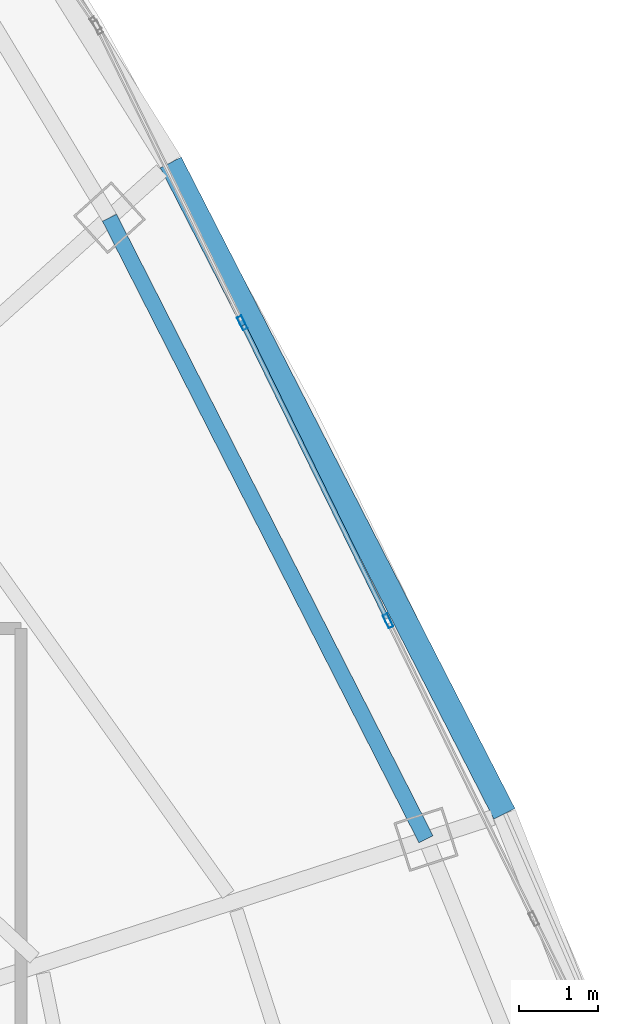
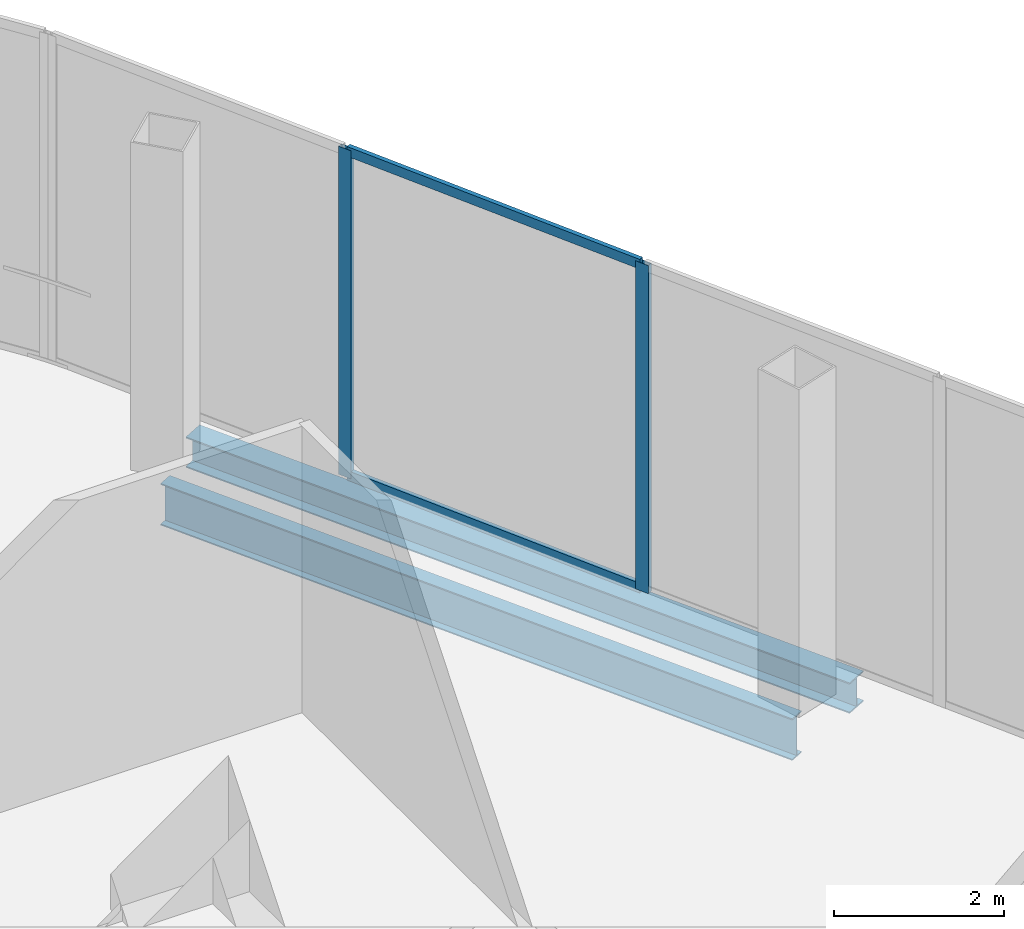
# One storey, part 20 of 33: 4 members, 2 beams, 1 element without a shape of its own.
"""IFC4 building model written with IfcOpenShell, lengths in metres."""

from ifc_helpers import new_model, si_unit, direction, frame, origin, origin_2d, place, context, subcontext, project, spatial, hollow_rectangle, i_section, extrude, source, transform, mapped, material, layer, layer_set, material_profile, profile_set, type_object, element, aggregate, save


model = new_model("IFC4")

# Units and contexts
model_context = context("Model", 3, precision=1e-05, world=origin(), true_north=direction((0.0, 1.0)))
body_context = subcontext(model_context, "Body", "Model", "MODEL_VIEW")
ifc_project = project(units=[si_unit("LENGTHUNIT", "METRE"), si_unit("AREAUNIT", "SQUARE_METRE"), si_unit("VOLUMEUNIT", "CUBIC_METRE"), si_unit("PLANEANGLEUNIT", "RADIAN"), si_unit("MASSUNIT", "GRAM", prefix="KILO"), si_unit("THERMODYNAMICTEMPERATUREUNIT", "KELVIN"), si_unit("POWERUNIT", "WATT")], contexts=[model_context])

# Site, building, storey
site_placement = place(None, origin())
site = spatial("IfcSite", under=ifc_project, at=site_placement, CompositionType="ELEMENT")
building_placement = place(site_placement, origin())
building = spatial("IfcBuilding", under=site, at=building_placement, Name="Yunzhuo Pagoda Commons", CompositionType="ELEMENT")
storey_placement = place(building_placement, frame((0.0, 0.0, 386.760009765625)))
storey = spatial("IfcBuildingStorey", under=building, at=storey_placement, Name="L96", CompositionType="ELEMENT", Elevation=386.760009765625)

# Beams
ifc_material_1 = material(Name="Structural steel Q355B", Category="steel")
ifc_material_profile_1 = material_profile(ifc_material_1, i_section(OverallWidth=0.199951171875, OverallDepth=0.60009765625, WebThickness=0.010986328125, FlangeThickness=0.01708984375, at=origin_2d()), Name="Structural steel Q355B")
ifc_profile_set_1 = profile_set([ifc_material_profile_1], Name="Structural steel Q355B")
beam_type_1 = type_object("IfcBeamType", Name="B-RG3 Beam HN 600x200x11x17", PredefinedType="BEAM", material=ifc_profile_set_1)
shared_shape_1 = source(origin(), body_context, "Body", "SweptSolid", [
    extrude(i_section(OverallWidth=0.199951171875, OverallDepth=0.60009765625, WebThickness=0.010986328125, FlangeThickness=0.01708984375, at=origin_2d()), origin(), (0.0, 0.0, 1.0), 8.87939453125),
])
beam_1_placement = place(storey_placement, frame((68.053466796875, 40.2158203125, -0.580078125), z_axis=(-0.453723535687, 0.891142498798, 0.0), x_axis=(-0.891142498798, -0.453723535687, 0.0)))
element("IfcBeam", 1, at=beam_1_placement, inside=storey, type_object=beam_type_1, Name="L96 column-ring beam 6", PredefinedType="BEAM", context=body_context, shape_type="MappedRepresentation", body=[
    mapped(shared_shape_1, transform((0.0, 0.0, 0.0), scale=1.0)),
])
ifc_material_profile_2 = material_profile(ifc_material_1, i_section(OverallWidth=0.300048828125, OverallDepth=0.43994140625, WebThickness=0.010986328125, FlangeThickness=0.01806640625, at=origin_2d()), Name="Structural steel Q355B")
ifc_profile_set_2 = profile_set([ifc_material_profile_2], Name="Structural steel Q355B")
beam_type_2 = type_object("IfcBeamType", Name="B-SP2 Beam HM 440x300x11x18", PredefinedType="BEAM", material=ifc_profile_set_2)
shared_shape_2 = source(origin(), body_context, "Body", "SweptSolid", [
    extrude(i_section(OverallWidth=0.300048828125, OverallDepth=0.43994140625, WebThickness=0.010986328125, FlangeThickness=0.01806640625, at=origin_2d()), origin(), (0.0, 0.0, 1.0), 9.3154296875),
])
beam_2_placement = place(storey_placement, frame((69.052001953125, 40.540283203125, -0.5), z_axis=(-0.455914353887, 0.89002365245, 0.0), x_axis=(-0.89002365245, -0.455914353887, 0.0)))
element("IfcBeam", 2, at=beam_2_placement, inside=storey, type_object=beam_type_2, Name="L96 facade edge spandrel beam F2.2", PredefinedType="BEAM", context=body_context, shape_type="MappedRepresentation", body=[
    mapped(shared_shape_2, transform((0.0, 0.0, 0.0), scale=1.0)),
])

# Curtain wall, members
ifc_material_2 = material(Name="Anodized aluminium 6063-T6", Category="aluminium")
ifc_layer = layer(ifc_material_2, 0.179931640625)
ifc_layer_set = layer_set([ifc_layer], Name="Anodized aluminium 6063-T6")
curtain_wall_type = type_object("IfcCurtainWallType", Name="CW-CRN Crown Gable Glazing System", PredefinedType="NOTDEFINED", material=ifc_layer_set)
curtain_wall_placement = place(storey_placement, origin())
curtain_wall = element("IfcCurtainWall", 3, at=curtain_wall_placement, inside=storey, type_object=curtain_wall_type, Name="L96 curtain wall CW-L96-CRNF2G1", PredefinedType="NOTDEFINED")
ifc_material_profile_3 = material_profile(ifc_material_2, hollow_rectangle(XDim=0.06494140625, YDim=0.179931640625, WallThickness=0.00390625, at=origin_2d()), Name="Anodized aluminium 6063-T6")
ifc_profile_set_3 = profile_set([ifc_material_profile_3], Name="Anodized aluminium 6063-T6")
member_type_1 = type_object("IfcMemberType", Name="CW-CRN-M Mullion RHS 180x65x4", PredefinedType="MULLION", material=ifc_profile_set_3)
shared_shape_3 = source(origin(), body_context, "Body", "SweptSolid", [
    extrude(hollow_rectangle(XDim=0.06494140625, YDim=0.179931640625, WallThickness=0.00390625, at=origin_2d()), origin(), (0.0, 0.0, 1.0), 4.72021484375),
])
member_1_placement = place(storey_placement, frame((67.570556640625, 42.995849609375, 0.0), z_axis=(0.0, 0.0, 1.0), x_axis=(-0.898299261226, -0.439384156839, 0.0)))
member_1 = element("IfcMember", 4, at=member_1_placement, type_object=member_type_1, Name="CW mullion 3", PredefinedType="MULLION", context=body_context, shape_type="MappedRepresentation", body=[
    mapped(shared_shape_3, transform((0.0, 0.0, 0.0), scale=1.0)),
])
member_2_placement = place(storey_placement, frame((65.71484375, 46.789306640625, 0.0), z_axis=(0.0, 0.0, 1.0), x_axis=(-0.898299261226, -0.439384156839, 0.0)))
member_2 = element("IfcMember", 5, at=member_2_placement, type_object=member_type_1, Name="CW mullion 4", PredefinedType="MULLION", context=body_context, shape_type="MappedRepresentation", body=[
    mapped(shared_shape_3, transform((0.0, 0.0, 0.0), scale=1.0)),
])
ifc_material_profile_4 = material_profile(ifc_material_2, hollow_rectangle(XDim=0.06005859375, YDim=0.139892578125, WallThickness=0.00341796875, at=origin_2d()), Name="Anodized aluminium 6063-T6")
ifc_profile_set_4 = profile_set([ifc_material_profile_4], Name="Anodized aluminium 6063-T6")
member_type_2 = type_object("IfcMemberType", Name="CW-CRN-T Transom RHS 140x60x3.5", PredefinedType="USERDEFINED", material=ifc_profile_set_4)
shared_shape_4 = source(origin(), body_context, "Body", "SweptSolid", [
    extrude(hollow_rectangle(XDim=0.06005859375, YDim=0.139892578125, WallThickness=0.00341796875, at=origin_2d()), origin(), (0.0, 0.0, 1.0), 4.157470703125),
])
member_3_placement = place(storey_placement, frame((67.55615234375, 43.025390625, 0.030029296875), z_axis=(-0.439421816361, 0.898280839886, 0.0), x_axis=(-0.898280839886, -0.439421816361, 0.0)))
member_3 = element("IfcMember", 6, at=member_3_placement, type_object=member_type_2, Name="CW transom 3.1", ObjectType="TRANSOM", PredefinedType="USERDEFINED", context=body_context, shape_type="MappedRepresentation", body=[
    mapped(shared_shape_4, transform((0.0, 0.0, 0.0), scale=1.0)),
])
member_4_placement = place(storey_placement, frame((67.55615234375, 43.025390625, 4.68994140625), z_axis=(-0.439421816361, 0.898280839886, 0.0), x_axis=(-0.898280839886, -0.439421816361, 0.0)))
member_4 = element("IfcMember", 7, at=member_4_placement, type_object=member_type_2, Name="CW transom 3.2", ObjectType="TRANSOM", PredefinedType="USERDEFINED", context=body_context, shape_type="MappedRepresentation", body=[
    mapped(shared_shape_4, transform((0.0, 0.0, 0.0), scale=1.0)),
])
aggregate(curtain_wall, [member_1, member_2, member_3, member_4])

save(model, "model.ifc")
